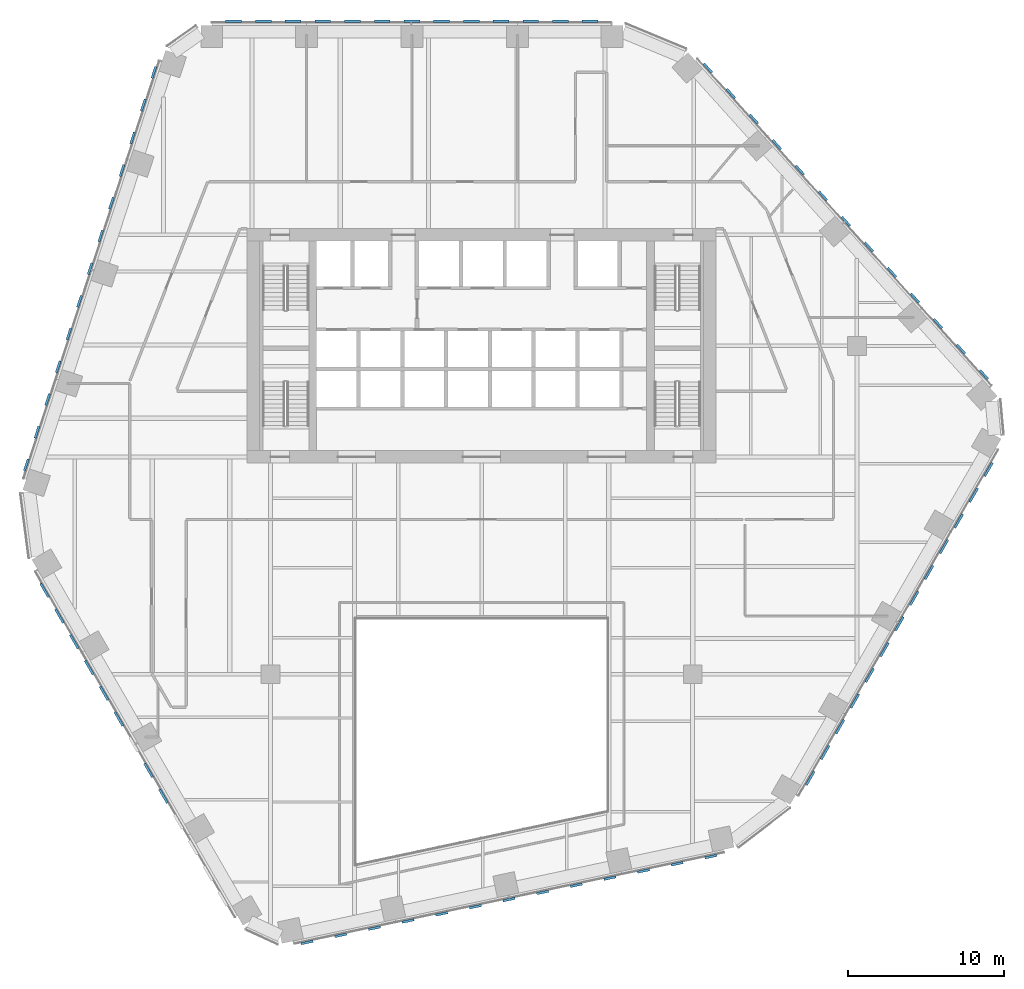
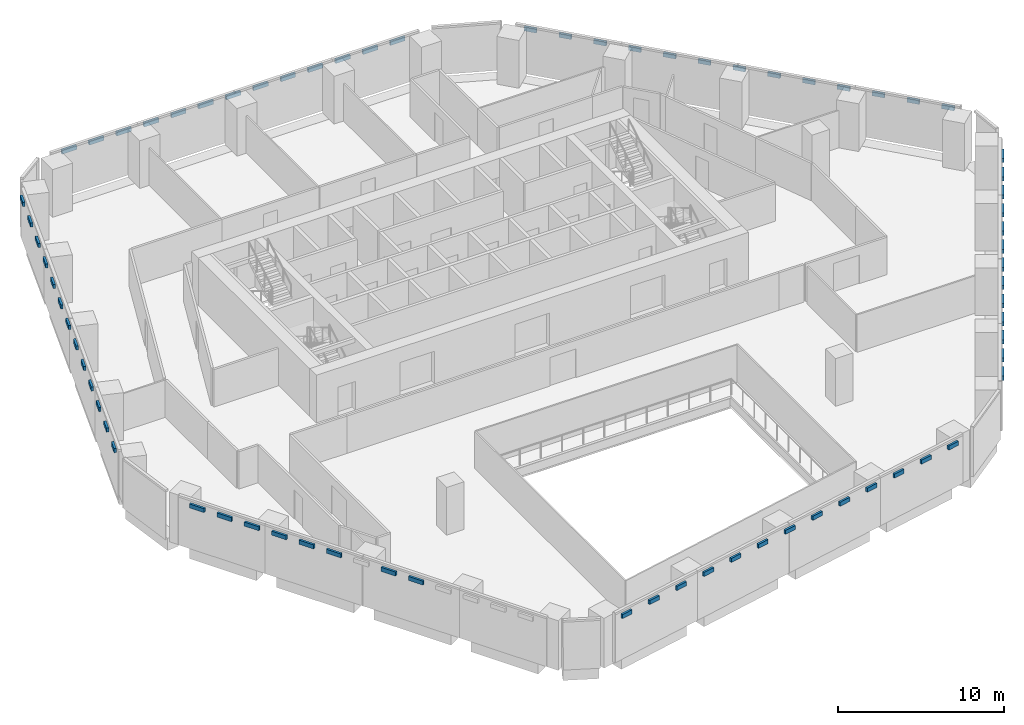
# One storey, part 14 of 17: 73 discrete accessories.
"""IFC4 building model written with IfcOpenShell, lengths in metres."""

from ifc_helpers import new_model, si_unit, direction, frame, origin, origin_2d, place, context, subcontext, project, spatial, rectangle, extrude, material, type_object, element, save


model = new_model("IFC4")

# Units and contexts
model_context = context("Model", 3, precision=1e-05, world=origin(), true_north=direction((0.0, 1.0)))
body_context = subcontext(model_context, "Body", "Model", "MODEL_VIEW")
ifc_project = project(units=[si_unit("LENGTHUNIT", "METRE"), si_unit("AREAUNIT", "SQUARE_METRE"), si_unit("VOLUMEUNIT", "CUBIC_METRE"), si_unit("PLANEANGLEUNIT", "RADIAN"), si_unit("MASSUNIT", "GRAM", prefix="KILO")], contexts=[model_context])

# Site, building, storey
site_placement = place(None, origin())
site = spatial("IfcSite", under=ifc_project, at=site_placement, CompositionType="ELEMENT")
building_placement = place(site_placement, origin())
building = spatial("IfcBuilding", under=site, at=building_placement, Name="Isthmus Gate Tower", CompositionType="ELEMENT")
storey_placement = place(building_placement, frame((0.0, 0.0, 126.14990234375)))
storey = spatial("IfcBuildingStorey", under=building, at=storey_placement, Name="L30", CompositionType="ELEMENT", Elevation=126.14990234375)

# Discrete accessories
ifc_material_1 = material(Name="Structural steel ASTM A572 Gr 50, white paint system", Category="steel")
discrete_accessory_type_1 = type_object("IfcDiscreteAccessoryType", Name="FIN BRACKET 1016 X 150 X 300", PredefinedType="BRACKET", material=ifc_material_1)
for number, where, z_axis, x_axis, name in (
    (1, (6.938232421875, 28.27490234375, 3.10009765625), (0.0, 0.0, 1.0), (0.0, 1.0, 0.0), "FIN BRACKET"),
    (2, (5.038330078125, 28.27490234375, 3.10009765625), (0.0, 0.0, 1.0), (0.0, 1.0, 0.0), "FIN BRACKET"),
    (3, (3.13818359375, 28.27490234375, 3.10009765625), (0.0, 0.0, 1.0), (0.0, 1.0, 0.0), "FIN BRACKET"),
    (4, (1.23828125, 28.27490234375, 3.10009765625), (0.0, 0.0, 1.0), (0.0, 1.0, 0.0), "FIN BRACKET"),
    (5, (-0.66162109375, 28.27490234375, 3.10009765625), (0.0, 0.0, 1.0), (0.0, 1.0, 0.0), "FIN BRACKET"),
    (6, (-2.561767578125, 28.27490234375, 3.10009765625), (0.0, 0.0, 1.0), (0.0, 1.0, 0.0), "FIN BRACKET"),
    (7, (-4.461669921875, 28.27490234375, 3.10009765625), (0.0, 0.0, 1.0), (0.0, 1.0, 0.0), "FIN BRACKET"),
    (8, (-6.36181640625, 28.27490234375, 3.10009765625), (0.0, 0.0, 1.0), (0.0, 1.0, 0.0), "FIN BRACKET"),
    (9, (-8.26171875, 28.27490234375, 3.10009765625), (0.0, 0.0, 1.0), (0.0, 1.0, 0.0), "FIN BRACKET"),
    (10, (-10.16162109375, 28.27490234375, 3.10009765625), (0.0, 0.0, 1.0), (0.0, 1.0, 0.0), "FIN BRACKET"),
    (11, (-12.061767578125, 28.27490234375, 3.10009765625), (0.0, 0.0, 1.0), (0.0, 1.0, 0.0), "FIN BRACKET"),
    (12, (-13.961669921875, 28.27490234375, 3.10009765625), (0.0, 0.0, 1.0), (0.0, 1.0, 0.0), "FIN BRACKET"),
    (13, (-15.86181640625, 28.27490234375, 3.10009765625), (0.0, 0.0, 1.0), (0.0, 1.0, 0.0), "FIN BRACKET"),
    (14, (-27.9560546875, -8.128662109375, 3.10009765625), (0.0, 0.0, 1.0), (-0.866025403784, -0.5, 0.0), "FIN BRACKET"),
    (15, (-27.006103515625, -9.774169921875, 3.10009765625), (0.0, 0.0, 1.0), (-0.866025403784, -0.5, 0.0), "FIN BRACKET"),
    (16, (-26.055908203125, -11.419677734375, 3.10009765625), (0.0, 0.0, 1.0), (-0.866025403784, -0.5, 0.0), "FIN BRACKET"),
    (17, (-25.10595703125, -13.065185546875, 3.10009765625), (0.0, 0.0, 1.0), (-0.866025403784, -0.5, 0.0), "FIN BRACKET"),
    (18, (-24.156005859375, -14.71044921875, 3.10009765625), (0.0, 0.0, 1.0), (-0.866025403784, -0.5, 0.0), "FIN BRACKET"),
    (19, (-23.2060546875, -16.35595703125, 3.10009765625), (0.0, 0.0, 1.0), (-0.866025403784, -0.5, 0.0), "FIN BRACKET"),
    (20, (-21.305908203125, -19.64697265625, 3.10009765625), (0.0, 0.0, 1.0), (-0.866025403784, -0.5, 0.0), "FIN BRACKET"),
    (21, (-20.35595703125, -21.292236328125, 3.10009765625), (0.0, 0.0, 1.0), (-0.866025403784, -0.5, 0.0), "FIN BRACKET"),
    (22, (21.017822265625, -20.146240234375, 3.10009765625), (0.0, 0.0, 1.0), (0.866025403784, -0.5, 0.0), "FIN BRACKET"),
    (23, (21.9677734375, -18.500732421875, 3.10009765625), (0.0, 0.0, 1.0), (0.866025403784, -0.5, 0.0), "FIN BRACKET"),
    (24, (22.917724609375, -16.855224609375, 3.10009765625), (0.0, 0.0, 1.0), (0.866025403784, -0.5, 0.0), "FIN BRACKET"),
    (25, (23.86767578125, -15.2099609375, 3.10009765625), (0.0, 0.0, 1.0), (0.866025403784, -0.5, 0.0), "FIN BRACKET"),
    (26, (24.817626953125, -13.564453125, 3.10009765625), (0.0, 0.0, 1.0), (0.866025403784, -0.5, 0.0), "FIN BRACKET"),
    (27, (25.767822265625, -11.9189453125, 3.10009765625), (0.0, 0.0, 1.0), (0.866025403784, -0.5, 0.0), "FIN BRACKET"),
    (28, (26.7177734375, -10.2734375, 3.10009765625), (0.0, 0.0, 1.0), (0.866025403784, -0.5, 0.0), "FIN BRACKET"),
    (29, (27.667724609375, -8.628173828125, 3.10009765625), (0.0, 0.0, 1.0), (0.866025403784, -0.5, 0.0), "FIN BRACKET"),
    (30, (28.61767578125, -6.982666015625, 3.10009765625), (0.0, 0.0, 1.0), (0.866025403784, -0.5, 0.0), "FIN BRACKET"),
    (31, (29.567626953125, -5.337158203125, 3.10009765625), (0.0, 0.0, 1.0), (0.866025403784, -0.5, 0.0), "FIN BRACKET"),
    (32, (30.517822265625, -3.691650390625, 3.10009765625), (0.0, 0.0, 1.0), (0.866025403784, -0.5, 0.0), "FIN BRACKET"),
    (33, (31.4677734375, -2.04638671875, 3.10009765625), (0.0, 0.0, 1.0), (0.866025403784, -0.5, 0.0), "FIN BRACKET"),
    (34, (32.417724609375, -0.40087890625, 3.10009765625), (0.0, 0.0, 1.0), (0.866025403784, -0.5, 0.0), "FIN BRACKET"),
):
    element("IfcDiscreteAccessory", number, at=place(storey_placement, frame(where, z_axis=z_axis, x_axis=x_axis)), inside=storey, type_object=discrete_accessory_type_1, Name=name, PredefinedType="BRACKET", context=body_context, shape_type="SweptSolid", body=[
        extrude(rectangle(XDim=0.14990234375, YDim=1.01611328125, at=origin_2d()), origin(), (0.0, 0.0, 1.0), 0.300048828125),
    ])
ifc_material_2 = material(Name="Structural steel ASTM A572 Gr 50, white paint system", Category="steel")
discrete_accessory_type_2 = type_object("IfcDiscreteAccessoryType", Name="FIN BRACKET 784 X 150 X 300", PredefinedType="BRACKET", material=ifc_material_2)
for number, where, z_axis, x_axis, name in (
    (35, (-20.965087890625, 24.995849609375, 3.10009765625), (0.0, 0.0, 1.0), (-0.951056516295, 0.309016994375, 0.0), "FIN BRACKET"),
    (36, (-21.64501953125, 22.9033203125, 3.10009765625), (0.0, 0.0, 1.0), (-0.951056516295, 0.309016994375, 0.0), "FIN BRACKET"),
    (37, (-22.32470703125, 20.81103515625, 3.10009765625), (0.0, 0.0, 1.0), (-0.951056516295, 0.309016994375, 0.0), "FIN BRACKET"),
    (38, (-23.004638671875, 18.71875, 3.10009765625), (0.0, 0.0, 1.0), (-0.951056516295, 0.309016994375, 0.0), "FIN BRACKET"),
    (39, (-23.6845703125, 16.62646484375, 3.10009765625), (0.0, 0.0, 1.0), (-0.951056516295, 0.309016994375, 0.0), "FIN BRACKET"),
    (40, (-24.3642578125, 14.5341796875, 3.10009765625), (0.0, 0.0, 1.0), (-0.951056516295, 0.309016994375, 0.0), "FIN BRACKET"),
    (41, (-25.044189453125, 12.44189453125, 3.10009765625), (0.0, 0.0, 1.0), (-0.951056516295, 0.309016994375, 0.0), "FIN BRACKET"),
    (42, (-25.723876953125, 10.349365234375, 3.10009765625), (0.0, 0.0, 1.0), (-0.951056516295, 0.309016994375, 0.0), "FIN BRACKET"),
    (43, (-26.40380859375, 8.257080078125, 3.10009765625), (0.0, 0.0, 1.0), (-0.951056516295, 0.309016994375, 0.0), "FIN BRACKET"),
    (44, (-27.083740234375, 6.164794921875, 3.10009765625), (0.0, 0.0, 1.0), (-0.951056516295, 0.309016994375, 0.0), "FIN BRACKET"),
    (45, (-27.763427734375, 4.072509765625, 3.10009765625), (0.0, 0.0, 1.0), (-0.951056516295, 0.309016994375, 0.0), "FIN BRACKET"),
    (46, (-28.443359375, 1.980224609375, 3.10009765625), (0.0, 0.0, 1.0), (-0.951056516295, 0.309016994375, 0.0), "FIN BRACKET"),
    (47, (-29.123291015625, -0.112060546875, 3.10009765625), (0.0, 0.0, 1.0), (-0.951056516295, 0.309016994375, 0.0), "FIN BRACKET"),
    (48, (-11.164306640625, -30.654296875, 3.10009765625), (0.0, 0.0, 1.0), (0.207911690818, -0.978147600734, 0.0), "FIN BRACKET"),
    (49, (-9.012451171875, -30.19677734375, 3.10009765625), (0.0, 0.0, 1.0), (0.207911690818, -0.978147600734, 0.0), "FIN BRACKET"),
    (50, (-6.860595703125, -29.739501953125, 3.10009765625), (0.0, 0.0, 1.0), (0.207911690818, -0.978147600734, 0.0), "FIN BRACKET"),
    (51, (-4.70849609375, -29.281982421875, 3.10009765625), (0.0, 0.0, 1.0), (0.207911690818, -0.978147600734, 0.0), "FIN BRACKET"),
    (52, (-2.556640625, -28.82470703125, 3.10009765625), (0.0, 0.0, 1.0), (0.207911690818, -0.978147600734, 0.0), "FIN BRACKET"),
    (53, (-0.40478515625, -28.3671875, 3.10009765625), (0.0, 0.0, 1.0), (0.207911690818, -0.978147600734, 0.0), "FIN BRACKET"),
    (54, (1.7470703125, -27.90966796875, 3.10009765625), (0.0, 0.0, 1.0), (0.207911690818, -0.978147600734, 0.0), "FIN BRACKET"),
    (55, (3.899169921875, -27.452392578125, 3.10009765625), (0.0, 0.0, 1.0), (0.207911690818, -0.978147600734, 0.0), "FIN BRACKET"),
    (56, (6.051025390625, -26.994873046875, 3.10009765625), (0.0, 0.0, 1.0), (0.207911690818, -0.978147600734, 0.0), "FIN BRACKET"),
    (57, (8.202880859375, -26.53759765625, 3.10009765625), (0.0, 0.0, 1.0), (0.207911690818, -0.978147600734, 0.0), "FIN BRACKET"),
    (58, (10.354736328125, -26.080078125, 3.10009765625), (0.0, 0.0, 1.0), (0.207911690818, -0.978147600734, 0.0), "FIN BRACKET"),
    (59, (12.5068359375, -25.622802734375, 3.10009765625), (0.0, 0.0, 1.0), (0.207911690818, -0.978147600734, 0.0), "FIN BRACKET"),
    (60, (14.65869140625, -25.165283203125, 3.10009765625), (0.0, 0.0, 1.0), (0.207911690818, -0.978147600734, 0.0), "FIN BRACKET"),
    (61, (32.129638671875, 5.658447265625, 3.10009765625), (0.0, 0.0, 1.0), (0.743144825477, 0.669130606359, 0.0), "FIN BRACKET"),
    (62, (30.657470703125, 7.29345703125, 3.10009765625), (0.0, 0.0, 1.0), (0.743144825477, 0.669130606359, 0.0), "FIN BRACKET"),
    (63, (29.185302734375, 8.92822265625, 3.10009765625), (0.0, 0.0, 1.0), (0.743144825477, 0.669130606359, 0.0), "FIN BRACKET"),
    (64, (27.713134765625, 10.563232421875, 3.10009765625), (0.0, 0.0, 1.0), (0.743144825477, 0.669130606359, 0.0), "FIN BRACKET"),
    (65, (26.2412109375, 12.1982421875, 3.10009765625), (0.0, 0.0, 1.0), (0.743144825477, 0.669130606359, 0.0), "FIN BRACKET"),
    (66, (24.76904296875, 13.8330078125, 3.10009765625), (0.0, 0.0, 1.0), (0.743144825477, 0.669130606359, 0.0), "FIN BRACKET"),
    (67, (23.296875, 15.468017578125, 3.10009765625), (0.0, 0.0, 1.0), (0.743144825477, 0.669130606359, 0.0), "FIN BRACKET"),
    (68, (21.824951171875, 17.102783203125, 3.10009765625), (0.0, 0.0, 1.0), (0.743144825477, 0.669130606359, 0.0), "FIN BRACKET"),
    (69, (20.352783203125, 18.73779296875, 3.10009765625), (0.0, 0.0, 1.0), (0.743144825477, 0.669130606359, 0.0), "FIN BRACKET"),
    (70, (18.880615234375, 20.372802734375, 3.10009765625), (0.0, 0.0, 1.0), (0.743144825477, 0.669130606359, 0.0), "FIN BRACKET"),
    (71, (17.40869140625, 22.007568359375, 3.10009765625), (0.0, 0.0, 1.0), (0.743144825477, 0.669130606359, 0.0), "FIN BRACKET"),
    (72, (15.9365234375, 23.642578125, 3.10009765625), (0.0, 0.0, 1.0), (0.743144825477, 0.669130606359, 0.0), "FIN BRACKET"),
    (73, (14.46435546875, 25.277587890625, 3.10009765625), (0.0, 0.0, 1.0), (0.743144825477, 0.669130606359, 0.0), "FIN BRACKET"),
):
    element("IfcDiscreteAccessory", number, at=place(storey_placement, frame(where, z_axis=z_axis, x_axis=x_axis)), inside=storey, type_object=discrete_accessory_type_2, Name=name, PredefinedType="BRACKET", context=body_context, shape_type="SweptSolid", body=[
        extrude(rectangle(XDim=0.14990234375, YDim=0.78369140625, at=origin_2d()), origin(), (0.0, 0.0, 1.0), 0.300048828125),
    ])

save(model, "model.ifc")
